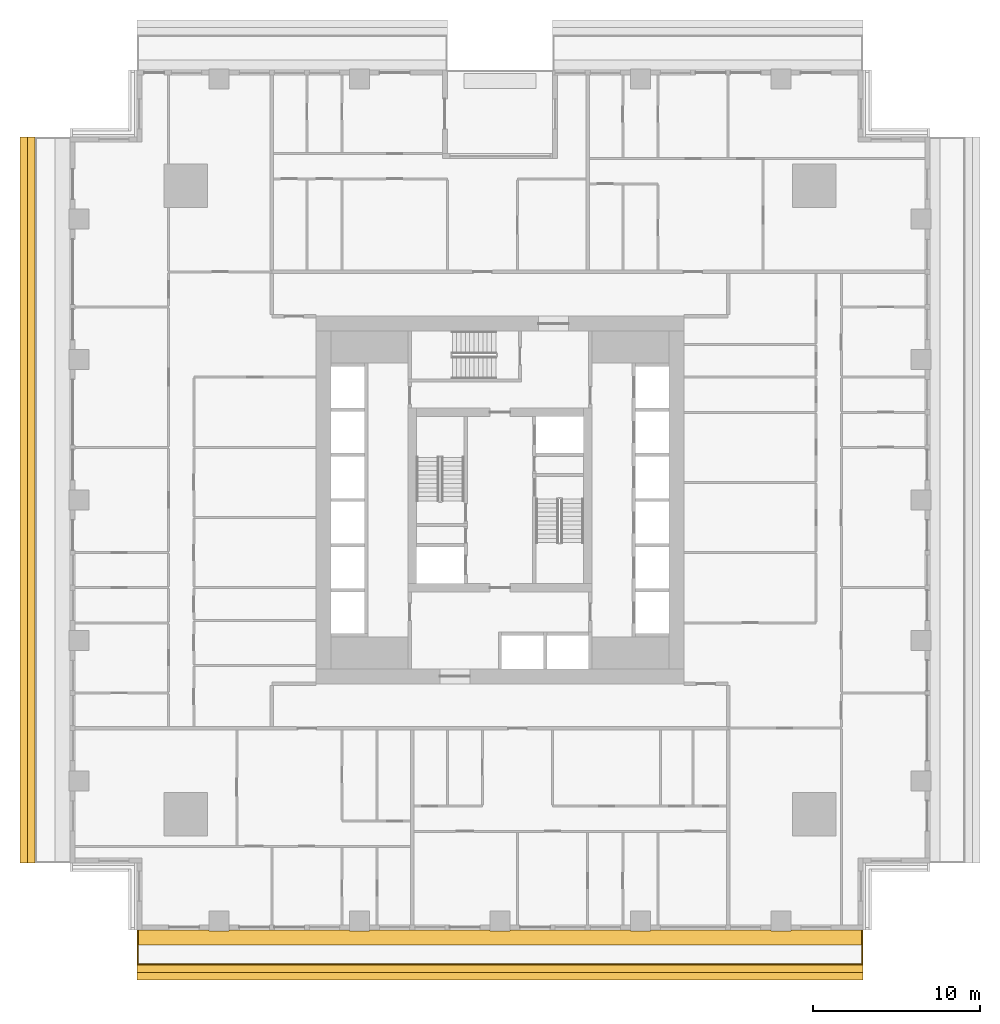
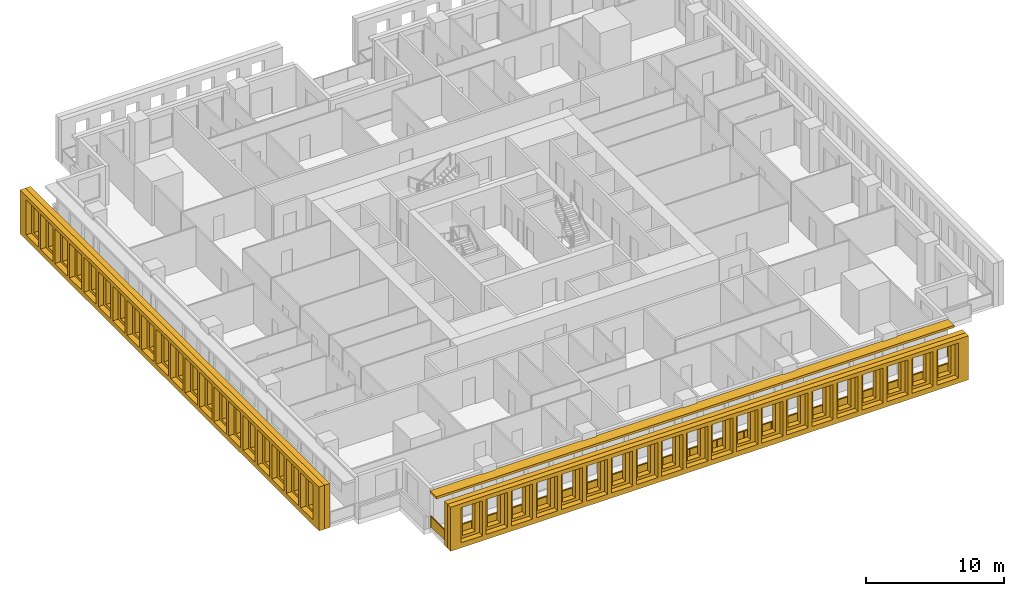
# One storey, part 11 of 16: 5 shading devices, 1 railing.
"""IFC4 building model written with IfcOpenShell, lengths in metres."""

from ifc_helpers import new_model, si_unit, direction, frame, origin, origin_2d, place, context, subcontext, project, spatial, polyline, rectangle, outline, extrude, material, layer, layer_set, type_object, element, save


model = new_model("IFC4")

# Units and contexts
model_context = context("Model", 3, precision=1e-05, world=origin(), true_north=direction((0.0, 1.0)))
body_context = subcontext(model_context, "Body", "Model", "MODEL_VIEW")
ifc_project = project(units=[si_unit("LENGTHUNIT", "METRE"), si_unit("AREAUNIT", "SQUARE_METRE"), si_unit("VOLUMEUNIT", "CUBIC_METRE"), si_unit("PLANEANGLEUNIT", "RADIAN"), si_unit("MASSUNIT", "GRAM", prefix="KILO")], contexts=[model_context])

# Site, building, storey
site_placement = place(None, origin())
site = spatial("IfcSite", under=ifc_project, at=site_placement, CompositionType="ELEMENT")
building_placement = place(site_placement, origin())
building = spatial("IfcBuilding", under=site, at=building_placement, Name="Khepri Terraces", CompositionType="ELEMENT")
storey_placement = place(building_placement, frame((0.0, 0.0, 133.800048828125)))
storey = spatial("IfcBuildingStorey", under=building, at=storey_placement, Name="L31", CompositionType="ELEMENT", Elevation=133.800048828125)

# Railing
ifc_material_1 = material(Name="Stainless steel grade 316", Category="steel")
railing_type = type_object("IfcRailingType", Name="GRD-BAL-1100", PredefinedType="GUARDRAIL", material=ifc_material_1)
railing_placement = place(storey_placement, frame((-21.669921875, -25.719970703125, 0.0)))
element("IfcRailing", 1, at=railing_placement, inside=storey, type_object=railing_type, Name="Balcony guard L31 S", PredefinedType="GUARDRAIL", context=body_context, shape_type="SweptSolid", body=[
    extrude(rectangle(XDim=0.050048828125, YDim=0.06005859375, at=origin_2d()), frame((0.0, 0.0, 1.070068359375), z_axis=(0.0, -1.0, 0.0), x_axis=(1.0, 0.0, 0.0)), (0.0, 0.0, 1.0), 2.050048828125),
    extrude(rectangle(XDim=2.0, YDim=0.011962890625, at=origin_2d()), frame((0.0, -1.02490234375, 0.10009765625), z_axis=(0.0, 0.0, 1.0), x_axis=(0.0, -1.0, 0.0)), (0.0, 0.0, 1.0), 0.93994140625),
    extrude(rectangle(XDim=0.050048828125, YDim=0.06005859375, at=origin_2d()), frame((0.0, -2.050048828125, 1.070068359375), z_axis=(1.0, 0.0, 0.0), x_axis=(0.0, 1.0, 0.0)), (0.0, 0.0, 1.0), 43.33984375),
    extrude(rectangle(XDim=2.23095703125, YDim=0.011962890625, at=origin_2d()), frame((1.140625, -2.050048828125, 0.10009765625), z_axis=(0.0, 0.0, 1.0), x_axis=(1.0, 0.0, 0.0)), (0.0, 0.0, 1.0), 0.93994140625),
    extrude(rectangle(XDim=2.23095703125, YDim=0.011962890625, at=origin_2d()), frame((3.421630859375, -2.050048828125, 0.10009765625), z_axis=(0.0, 0.0, 1.0), x_axis=(1.0, 0.0, 0.0)), (0.0, 0.0, 1.0), 0.93994140625),
    extrude(rectangle(XDim=2.23095703125, YDim=0.011962890625, at=origin_2d()), frame((5.70263671875, -2.050048828125, 0.10009765625), z_axis=(0.0, 0.0, 1.0), x_axis=(1.0, 0.0, 0.0)), (0.0, 0.0, 1.0), 0.93994140625),
    extrude(rectangle(XDim=2.23095703125, YDim=0.011962890625, at=origin_2d()), frame((7.983642578125, -2.050048828125, 0.10009765625), z_axis=(0.0, 0.0, 1.0), x_axis=(1.0, 0.0, 0.0)), (0.0, 0.0, 1.0), 0.93994140625),
    extrude(rectangle(XDim=2.23095703125, YDim=0.011962890625, at=origin_2d()), frame((10.2646484375, -2.050048828125, 0.10009765625), z_axis=(0.0, 0.0, 1.0), x_axis=(1.0, 0.0, 0.0)), (0.0, 0.0, 1.0), 0.93994140625),
    extrude(rectangle(XDim=2.23095703125, YDim=0.011962890625, at=origin_2d()), frame((12.545654296875, -2.050048828125, 0.10009765625), z_axis=(0.0, 0.0, 1.0), x_axis=(1.0, 0.0, 0.0)), (0.0, 0.0, 1.0), 0.93994140625),
    extrude(rectangle(XDim=2.23095703125, YDim=0.011962890625, at=origin_2d()), frame((14.826904296875, -2.050048828125, 0.10009765625), z_axis=(0.0, 0.0, 1.0), x_axis=(1.0, 0.0, 0.0)), (0.0, 0.0, 1.0), 0.93994140625),
    extrude(rectangle(XDim=2.23095703125, YDim=0.011962890625, at=origin_2d()), frame((17.10791015625, -2.050048828125, 0.10009765625), z_axis=(0.0, 0.0, 1.0), x_axis=(1.0, 0.0, 0.0)), (0.0, 0.0, 1.0), 0.93994140625),
    extrude(rectangle(XDim=2.23095703125, YDim=0.011962890625, at=origin_2d()), frame((19.388916015625, -2.050048828125, 0.10009765625), z_axis=(0.0, 0.0, 1.0), x_axis=(1.0, 0.0, 0.0)), (0.0, 0.0, 1.0), 0.93994140625),
    extrude(rectangle(XDim=2.23095703125, YDim=0.011962890625, at=origin_2d()), frame((21.669921875, -2.050048828125, 0.10009765625), z_axis=(0.0, 0.0, 1.0), x_axis=(1.0, 0.0, 0.0)), (0.0, 0.0, 1.0), 0.93994140625),
    extrude(rectangle(XDim=2.23095703125, YDim=0.011962890625, at=origin_2d()), frame((23.950927734375, -2.050048828125, 0.10009765625), z_axis=(0.0, 0.0, 1.0), x_axis=(1.0, 0.0, 0.0)), (0.0, 0.0, 1.0), 0.93994140625),
    extrude(rectangle(XDim=2.23095703125, YDim=0.011962890625, at=origin_2d()), frame((26.23193359375, -2.050048828125, 0.10009765625), z_axis=(0.0, 0.0, 1.0), x_axis=(1.0, 0.0, 0.0)), (0.0, 0.0, 1.0), 0.93994140625),
    extrude(rectangle(XDim=2.23095703125, YDim=0.011962890625, at=origin_2d()), frame((28.512939453125, -2.050048828125, 0.10009765625), z_axis=(0.0, 0.0, 1.0), x_axis=(1.0, 0.0, 0.0)), (0.0, 0.0, 1.0), 0.93994140625),
    extrude(rectangle(XDim=2.23095703125, YDim=0.011962890625, at=origin_2d()), frame((30.794189453125, -2.050048828125, 0.10009765625), z_axis=(0.0, 0.0, 1.0), x_axis=(1.0, 0.0, 0.0)), (0.0, 0.0, 1.0), 0.93994140625),
    extrude(rectangle(XDim=2.23095703125, YDim=0.011962890625, at=origin_2d()), frame((33.0751953125, -2.050048828125, 0.10009765625), z_axis=(0.0, 0.0, 1.0), x_axis=(1.0, 0.0, 0.0)), (0.0, 0.0, 1.0), 0.93994140625),
    extrude(rectangle(XDim=2.23095703125, YDim=0.011962890625, at=origin_2d()), frame((35.356201171875, -2.050048828125, 0.10009765625), z_axis=(0.0, 0.0, 1.0), x_axis=(1.0, 0.0, 0.0)), (0.0, 0.0, 1.0), 0.93994140625),
    extrude(rectangle(XDim=2.23095703125, YDim=0.011962890625, at=origin_2d()), frame((37.63720703125, -2.050048828125, 0.10009765625), z_axis=(0.0, 0.0, 1.0), x_axis=(1.0, 0.0, 0.0)), (0.0, 0.0, 1.0), 0.93994140625),
    extrude(rectangle(XDim=2.23095703125, YDim=0.011962890625, at=origin_2d()), frame((39.918212890625, -2.050048828125, 0.10009765625), z_axis=(0.0, 0.0, 1.0), x_axis=(1.0, 0.0, 0.0)), (0.0, 0.0, 1.0), 0.93994140625),
    extrude(rectangle(XDim=2.23095703125, YDim=0.011962890625, at=origin_2d()), frame((42.19921875, -2.050048828125, 0.10009765625), z_axis=(0.0, 0.0, 1.0), x_axis=(1.0, 0.0, 0.0)), (0.0, 0.0, 1.0), 0.93994140625),
    extrude(rectangle(XDim=0.050048828125, YDim=0.06005859375, at=origin_2d()), frame((43.33984375, -2.050048828125, 1.070068359375), z_axis=(0.0, 1.0, 0.0), x_axis=(-1.0, 0.0, 0.0)), (0.0, 0.0, 1.0), 2.050048828125),
    extrude(rectangle(XDim=2.0, YDim=0.011962890625, at=origin_2d()), frame((43.33984375, -1.02490234375, 0.10009765625), z_axis=(0.0, 0.0, 1.0), x_axis=(0.0, 1.0, 0.0)), (0.0, 0.0, 1.0), 0.93994140625),
    extrude(rectangle(XDim=0.050048828125, YDim=0.050048828125, at=origin_2d()), origin(), (0.0, 0.0, 1.0), 1.0400390625),
    extrude(rectangle(XDim=0.050048828125, YDim=0.050048828125, at=origin_2d()), frame((0.0, -2.050048828125, 0.0)), (0.0, 0.0, 1.0), 1.0400390625),
    extrude(rectangle(XDim=0.050048828125, YDim=0.050048828125, at=origin_2d()), frame((2.281005859375, -2.050048828125, 0.0)), (0.0, 0.0, 1.0), 1.0400390625),
    extrude(rectangle(XDim=0.050048828125, YDim=0.050048828125, at=origin_2d()), frame((4.56201171875, -2.050048828125, 0.0)), (0.0, 0.0, 1.0), 1.0400390625),
    extrude(rectangle(XDim=0.050048828125, YDim=0.050048828125, at=origin_2d()), frame((6.843017578125, -2.050048828125, 0.0)), (0.0, 0.0, 1.0), 1.0400390625),
    extrude(rectangle(XDim=0.050048828125, YDim=0.050048828125, at=origin_2d()), frame((9.124267578125, -2.050048828125, 0.0)), (0.0, 0.0, 1.0), 1.0400390625),
    extrude(rectangle(XDim=0.050048828125, YDim=0.050048828125, at=origin_2d()), frame((11.4052734375, -2.050048828125, 0.0)), (0.0, 0.0, 1.0), 1.0400390625),
    extrude(rectangle(XDim=0.050048828125, YDim=0.050048828125, at=origin_2d()), frame((13.686279296875, -2.050048828125, 0.0)), (0.0, 0.0, 1.0), 1.0400390625),
    extrude(rectangle(XDim=0.050048828125, YDim=0.050048828125, at=origin_2d()), frame((15.96728515625, -2.050048828125, 0.0)), (0.0, 0.0, 1.0), 1.0400390625),
    extrude(rectangle(XDim=0.050048828125, YDim=0.050048828125, at=origin_2d()), frame((18.248291015625, -2.050048828125, 0.0)), (0.0, 0.0, 1.0), 1.0400390625),
    extrude(rectangle(XDim=0.050048828125, YDim=0.050048828125, at=origin_2d()), frame((20.529296875, -2.050048828125, 0.0)), (0.0, 0.0, 1.0), 1.0400390625),
    extrude(rectangle(XDim=0.050048828125, YDim=0.050048828125, at=origin_2d()), frame((22.810546875, -2.050048828125, 0.0)), (0.0, 0.0, 1.0), 1.0400390625),
    extrude(rectangle(XDim=0.050048828125, YDim=0.050048828125, at=origin_2d()), frame((25.091552734375, -2.050048828125, 0.0)), (0.0, 0.0, 1.0), 1.0400390625),
    extrude(rectangle(XDim=0.050048828125, YDim=0.050048828125, at=origin_2d()), frame((27.37255859375, -2.050048828125, 0.0)), (0.0, 0.0, 1.0), 1.0400390625),
    extrude(rectangle(XDim=0.050048828125, YDim=0.050048828125, at=origin_2d()), frame((29.653564453125, -2.050048828125, 0.0)), (0.0, 0.0, 1.0), 1.0400390625),
    extrude(rectangle(XDim=0.050048828125, YDim=0.050048828125, at=origin_2d()), frame((31.9345703125, -2.050048828125, 0.0)), (0.0, 0.0, 1.0), 1.0400390625),
    extrude(rectangle(XDim=0.050048828125, YDim=0.050048828125, at=origin_2d()), frame((34.215576171875, -2.050048828125, 0.0)), (0.0, 0.0, 1.0), 1.0400390625),
    extrude(rectangle(XDim=0.050048828125, YDim=0.050048828125, at=origin_2d()), frame((36.496826171875, -2.050048828125, 0.0)), (0.0, 0.0, 1.0), 1.0400390625),
    extrude(rectangle(XDim=0.050048828125, YDim=0.050048828125, at=origin_2d()), frame((38.77783203125, -2.050048828125, 0.0)), (0.0, 0.0, 1.0), 1.0400390625),
    extrude(rectangle(XDim=0.050048828125, YDim=0.050048828125, at=origin_2d()), frame((41.058837890625, -2.050048828125, 0.0)), (0.0, 0.0, 1.0), 1.0400390625),
    extrude(rectangle(XDim=0.050048828125, YDim=0.050048828125, at=origin_2d()), frame((43.33984375, -2.050048828125, 0.0)), (0.0, 0.0, 1.0), 1.0400390625),
    extrude(rectangle(XDim=0.050048828125, YDim=0.050048828125, at=origin_2d()), frame((43.33984375, 0.0, 0.0)), (0.0, 0.0, 1.0), 1.0400390625),
])

# Shading devices
ifc_material_2 = material(Name="Precast concrete C50/60 warm stone", Category="masonry")
shading_device_type_1 = type_object("IfcShadingDeviceType", Name="SCR-CELL-INNER-450", PredefinedType="USERDEFINED", material=ifc_material_2)
shading_device_1_placement = place(storey_placement, frame((-21.719970703125, -27.820068359375, -0.25), z_axis=(0.0, -1.0, 0.0), x_axis=(1.0, 0.0, 0.0)))
element("IfcShadingDevice", 2, at=shading_device_1_placement, inside=storey, type_object=shading_device_type_1, Name="Cell screen L31 S in", ObjectType="SCREEN", PredefinedType="USERDEFINED", context=body_context, shape_type="SweptSolid", body=[
    extrude(outline(polyline([(0.0, 0.0), (43.43994140625, 0.0), (43.43994140625, 3.89990234375), (0.0, 3.89990234375), (0.0, 0.0)]), holes=[polyline([(1.2265625, 0.699951171875), (2.3134765625, 0.699951171875), (2.3134765625, 3.300048828125), (1.2265625, 3.300048828125), (1.2265625, 0.699951171875)]), polyline([(3.32666015625, 0.699951171875), (4.413330078125, 0.699951171875), (4.413330078125, 3.300048828125), (3.32666015625, 3.300048828125), (3.32666015625, 0.699951171875)]), polyline([(5.426513671875, 0.699951171875), (6.513427734375, 0.699951171875), (6.513427734375, 3.300048828125), (5.426513671875, 3.300048828125), (5.426513671875, 0.699951171875)]), polyline([(7.526611328125, 0.699951171875), (8.61328125, 0.699951171875), (8.61328125, 3.300048828125), (7.526611328125, 3.300048828125), (7.526611328125, 0.699951171875)]), polyline([(9.626708984375, 0.699951171875), (10.71337890625, 0.699951171875), (10.71337890625, 3.300048828125), (9.626708984375, 3.300048828125), (9.626708984375, 0.699951171875)]), polyline([(11.7265625, 0.699951171875), (12.8134765625, 0.699951171875), (12.8134765625, 3.300048828125), (11.7265625, 3.300048828125), (11.7265625, 0.699951171875)]), polyline([(13.82666015625, 0.699951171875), (14.913330078125, 0.699951171875), (14.913330078125, 3.300048828125), (13.82666015625, 3.300048828125), (13.82666015625, 0.699951171875)]), polyline([(15.926513671875, 0.699951171875), (17.013427734375, 0.699951171875), (17.013427734375, 3.300048828125), (15.926513671875, 3.300048828125), (15.926513671875, 0.699951171875)]), polyline([(18.026611328125, 0.699951171875), (19.11328125, 0.699951171875), (19.11328125, 3.300048828125), (18.026611328125, 3.300048828125), (18.026611328125, 0.699951171875)]), polyline([(20.126708984375, 0.699951171875), (21.21337890625, 0.699951171875), (21.21337890625, 3.300048828125), (20.126708984375, 3.300048828125), (20.126708984375, 0.699951171875)]), polyline([(22.2265625, 0.699951171875), (23.3134765625, 0.699951171875), (23.3134765625, 3.300048828125), (22.2265625, 3.300048828125), (22.2265625, 0.699951171875)]), polyline([(24.32666015625, 0.699951171875), (25.413330078125, 0.699951171875), (25.413330078125, 3.300048828125), (24.32666015625, 3.300048828125), (24.32666015625, 0.699951171875)]), polyline([(26.426513671875, 0.699951171875), (27.513427734375, 0.699951171875), (27.513427734375, 3.300048828125), (26.426513671875, 3.300048828125), (26.426513671875, 0.699951171875)]), polyline([(28.526611328125, 0.699951171875), (29.61328125, 0.699951171875), (29.61328125, 3.300048828125), (28.526611328125, 3.300048828125), (28.526611328125, 0.699951171875)]), polyline([(30.626708984375, 0.699951171875), (31.71337890625, 0.699951171875), (31.71337890625, 3.300048828125), (30.626708984375, 3.300048828125), (30.626708984375, 0.699951171875)]), polyline([(32.7265625, 0.699951171875), (33.8134765625, 0.699951171875), (33.8134765625, 3.300048828125), (32.7265625, 3.300048828125), (32.7265625, 0.699951171875)]), polyline([(34.82666015625, 0.699951171875), (35.913330078125, 0.699951171875), (35.913330078125, 3.300048828125), (34.82666015625, 3.300048828125), (34.82666015625, 0.699951171875)]), polyline([(36.926513671875, 0.699951171875), (38.013427734375, 0.699951171875), (38.013427734375, 3.300048828125), (36.926513671875, 3.300048828125), (36.926513671875, 0.699951171875)]), polyline([(39.026611328125, 0.699951171875), (40.11328125, 0.699951171875), (40.11328125, 3.300048828125), (39.026611328125, 3.300048828125), (39.026611328125, 0.699951171875)]), polyline([(41.126708984375, 0.699951171875), (42.21337890625, 0.699951171875), (42.21337890625, 3.300048828125), (41.126708984375, 3.300048828125), (41.126708984375, 0.699951171875)])]), origin(), (0.0, 0.0, 1.0), 0.449951171875),
])
shading_device_2_placement = place(storey_placement, frame((-27.820068359375, 21.719970703125, -0.25), z_axis=(-1.0, 0.0, 0.0), x_axis=(0.0, -1.0, 0.0)))
element("IfcShadingDevice", 3, at=shading_device_2_placement, inside=storey, type_object=shading_device_type_1, Name="Cell screen L31 W in", ObjectType="SCREEN", PredefinedType="USERDEFINED", context=body_context, shape_type="SweptSolid", body=[
    extrude(outline(polyline([(0.0, 0.0), (43.43994140625, 0.0), (43.43994140625, 3.89990234375), (0.0, 3.89990234375), (0.0, 0.0)]), holes=[polyline([(1.2265625, 0.699951171875), (2.3134765625, 0.699951171875), (2.3134765625, 3.300048828125), (1.2265625, 3.300048828125), (1.2265625, 0.699951171875)]), polyline([(3.32666015625, 0.699951171875), (4.413330078125, 0.699951171875), (4.413330078125, 3.300048828125), (3.32666015625, 3.300048828125), (3.32666015625, 0.699951171875)]), polyline([(5.426513671875, 0.699951171875), (6.513427734375, 0.699951171875), (6.513427734375, 3.300048828125), (5.426513671875, 3.300048828125), (5.426513671875, 0.699951171875)]), polyline([(7.526611328125, 0.699951171875), (8.61328125, 0.699951171875), (8.61328125, 3.300048828125), (7.526611328125, 3.300048828125), (7.526611328125, 0.699951171875)]), polyline([(9.626708984375, 0.699951171875), (10.71337890625, 0.699951171875), (10.71337890625, 3.300048828125), (9.626708984375, 3.300048828125), (9.626708984375, 0.699951171875)]), polyline([(11.7265625, 0.699951171875), (12.8134765625, 0.699951171875), (12.8134765625, 3.300048828125), (11.7265625, 3.300048828125), (11.7265625, 0.699951171875)]), polyline([(13.82666015625, 0.699951171875), (14.913330078125, 0.699951171875), (14.913330078125, 3.300048828125), (13.82666015625, 3.300048828125), (13.82666015625, 0.699951171875)]), polyline([(15.926513671875, 0.699951171875), (17.013427734375, 0.699951171875), (17.013427734375, 3.300048828125), (15.926513671875, 3.300048828125), (15.926513671875, 0.699951171875)]), polyline([(18.026611328125, 0.699951171875), (19.11328125, 0.699951171875), (19.11328125, 3.300048828125), (18.026611328125, 3.300048828125), (18.026611328125, 0.699951171875)]), polyline([(20.126708984375, 0.699951171875), (21.21337890625, 0.699951171875), (21.21337890625, 3.300048828125), (20.126708984375, 3.300048828125), (20.126708984375, 0.699951171875)]), polyline([(22.2265625, 0.699951171875), (23.3134765625, 0.699951171875), (23.3134765625, 3.300048828125), (22.2265625, 3.300048828125), (22.2265625, 0.699951171875)]), polyline([(24.32666015625, 0.699951171875), (25.413330078125, 0.699951171875), (25.413330078125, 3.300048828125), (24.32666015625, 3.300048828125), (24.32666015625, 0.699951171875)]), polyline([(26.426513671875, 0.699951171875), (27.513427734375, 0.699951171875), (27.513427734375, 3.300048828125), (26.426513671875, 3.300048828125), (26.426513671875, 0.699951171875)]), polyline([(28.526611328125, 0.699951171875), (29.61328125, 0.699951171875), (29.61328125, 3.300048828125), (28.526611328125, 3.300048828125), (28.526611328125, 0.699951171875)]), polyline([(30.626708984375, 0.699951171875), (31.71337890625, 0.699951171875), (31.71337890625, 3.300048828125), (30.626708984375, 3.300048828125), (30.626708984375, 0.699951171875)]), polyline([(32.7265625, 0.699951171875), (33.8134765625, 0.699951171875), (33.8134765625, 3.300048828125), (32.7265625, 3.300048828125), (32.7265625, 0.699951171875)]), polyline([(34.82666015625, 0.699951171875), (35.913330078125, 0.699951171875), (35.913330078125, 3.300048828125), (34.82666015625, 3.300048828125), (34.82666015625, 0.699951171875)]), polyline([(36.926513671875, 0.699951171875), (38.013427734375, 0.699951171875), (38.013427734375, 3.300048828125), (36.926513671875, 3.300048828125), (36.926513671875, 0.699951171875)]), polyline([(39.026611328125, 0.699951171875), (40.11328125, 0.699951171875), (40.11328125, 3.300048828125), (39.026611328125, 3.300048828125), (39.026611328125, 0.699951171875)]), polyline([(41.126708984375, 0.699951171875), (42.21337890625, 0.699951171875), (42.21337890625, 3.300048828125), (41.126708984375, 3.300048828125), (41.126708984375, 0.699951171875)])]), origin(), (0.0, 0.0, 1.0), 0.449951171875),
])
shading_device_type_2 = type_object("IfcShadingDeviceType", Name="SCR-CELL-OUTER-450", PredefinedType="USERDEFINED", material=ifc_material_2)
shading_device_3_placement = place(storey_placement, frame((-21.719970703125, -28.27001953125, -0.25), z_axis=(0.0, -1.0, 0.0), x_axis=(1.0, 0.0, 0.0)))
element("IfcShadingDevice", 4, at=shading_device_3_placement, inside=storey, type_object=shading_device_type_2, Name="Cell screen L31 S out", ObjectType="SCREEN", PredefinedType="USERDEFINED", context=body_context, shape_type="SweptSolid", body=[
    extrude(outline(polyline([(0.0, 0.0), (43.43994140625, 0.0), (43.43994140625, 3.89990234375), (0.0, 3.89990234375), (0.0, 0.0)]), holes=[polyline([(0.876708984375, 0.449951171875), (2.663330078125, 0.449951171875), (2.663330078125, 3.550048828125), (0.876708984375, 3.550048828125), (0.876708984375, 0.449951171875)]), polyline([(2.9765625, 0.449951171875), (4.763427734375, 0.449951171875), (4.763427734375, 3.550048828125), (2.9765625, 3.550048828125), (2.9765625, 0.449951171875)]), polyline([(5.07666015625, 0.449951171875), (6.86328125, 0.449951171875), (6.86328125, 3.550048828125), (5.07666015625, 3.550048828125), (5.07666015625, 0.449951171875)]), polyline([(7.176513671875, 0.449951171875), (8.96337890625, 0.449951171875), (8.96337890625, 3.550048828125), (7.176513671875, 3.550048828125), (7.176513671875, 0.449951171875)]), polyline([(9.276611328125, 0.449951171875), (11.0634765625, 0.449951171875), (11.0634765625, 3.550048828125), (9.276611328125, 3.550048828125), (9.276611328125, 0.449951171875)]), polyline([(11.376708984375, 0.449951171875), (13.163330078125, 0.449951171875), (13.163330078125, 3.550048828125), (11.376708984375, 3.550048828125), (11.376708984375, 0.449951171875)]), polyline([(13.4765625, 0.449951171875), (15.263427734375, 0.449951171875), (15.263427734375, 3.550048828125), (13.4765625, 3.550048828125), (13.4765625, 0.449951171875)]), polyline([(15.57666015625, 0.449951171875), (17.36328125, 0.449951171875), (17.36328125, 3.550048828125), (15.57666015625, 3.550048828125), (15.57666015625, 0.449951171875)]), polyline([(17.676513671875, 0.449951171875), (19.46337890625, 0.449951171875), (19.46337890625, 3.550048828125), (17.676513671875, 3.550048828125), (17.676513671875, 0.449951171875)]), polyline([(19.776611328125, 0.449951171875), (21.5634765625, 0.449951171875), (21.5634765625, 3.550048828125), (19.776611328125, 3.550048828125), (19.776611328125, 0.449951171875)]), polyline([(21.876708984375, 0.449951171875), (23.663330078125, 0.449951171875), (23.663330078125, 3.550048828125), (21.876708984375, 3.550048828125), (21.876708984375, 0.449951171875)]), polyline([(23.9765625, 0.449951171875), (25.763427734375, 0.449951171875), (25.763427734375, 3.550048828125), (23.9765625, 3.550048828125), (23.9765625, 0.449951171875)]), polyline([(26.07666015625, 0.449951171875), (27.86328125, 0.449951171875), (27.86328125, 3.550048828125), (26.07666015625, 3.550048828125), (26.07666015625, 0.449951171875)]), polyline([(28.176513671875, 0.449951171875), (29.96337890625, 0.449951171875), (29.96337890625, 3.550048828125), (28.176513671875, 3.550048828125), (28.176513671875, 0.449951171875)]), polyline([(30.276611328125, 0.449951171875), (32.0634765625, 0.449951171875), (32.0634765625, 3.550048828125), (30.276611328125, 3.550048828125), (30.276611328125, 0.449951171875)]), polyline([(32.376708984375, 0.449951171875), (34.163330078125, 0.449951171875), (34.163330078125, 3.550048828125), (32.376708984375, 3.550048828125), (32.376708984375, 0.449951171875)]), polyline([(34.4765625, 0.449951171875), (36.263427734375, 0.449951171875), (36.263427734375, 3.550048828125), (34.4765625, 3.550048828125), (34.4765625, 0.449951171875)]), polyline([(36.57666015625, 0.449951171875), (38.36328125, 0.449951171875), (38.36328125, 3.550048828125), (36.57666015625, 3.550048828125), (36.57666015625, 0.449951171875)]), polyline([(38.676513671875, 0.449951171875), (40.46337890625, 0.449951171875), (40.46337890625, 3.550048828125), (38.676513671875, 3.550048828125), (38.676513671875, 0.449951171875)]), polyline([(40.776611328125, 0.449951171875), (42.5634765625, 0.449951171875), (42.5634765625, 3.550048828125), (40.776611328125, 3.550048828125), (40.776611328125, 0.449951171875)])]), origin(), (0.0, 0.0, 1.0), 0.449951171875),
])
shading_device_4_placement = place(storey_placement, frame((-28.27001953125, 21.719970703125, -0.25), z_axis=(-1.0, 0.0, 0.0), x_axis=(0.0, -1.0, 0.0)))
element("IfcShadingDevice", 5, at=shading_device_4_placement, inside=storey, type_object=shading_device_type_2, Name="Cell screen L31 W out", ObjectType="SCREEN", PredefinedType="USERDEFINED", context=body_context, shape_type="SweptSolid", body=[
    extrude(outline(polyline([(0.0, 0.0), (43.43994140625, 0.0), (43.43994140625, 3.89990234375), (0.0, 3.89990234375), (0.0, 0.0)]), holes=[polyline([(0.876708984375, 0.449951171875), (2.663330078125, 0.449951171875), (2.663330078125, 3.550048828125), (0.876708984375, 3.550048828125), (0.876708984375, 0.449951171875)]), polyline([(2.9765625, 0.449951171875), (4.763427734375, 0.449951171875), (4.763427734375, 3.550048828125), (2.9765625, 3.550048828125), (2.9765625, 0.449951171875)]), polyline([(5.07666015625, 0.449951171875), (6.86328125, 0.449951171875), (6.86328125, 3.550048828125), (5.07666015625, 3.550048828125), (5.07666015625, 0.449951171875)]), polyline([(7.176513671875, 0.449951171875), (8.96337890625, 0.449951171875), (8.96337890625, 3.550048828125), (7.176513671875, 3.550048828125), (7.176513671875, 0.449951171875)]), polyline([(9.276611328125, 0.449951171875), (11.0634765625, 0.449951171875), (11.0634765625, 3.550048828125), (9.276611328125, 3.550048828125), (9.276611328125, 0.449951171875)]), polyline([(11.376708984375, 0.449951171875), (13.163330078125, 0.449951171875), (13.163330078125, 3.550048828125), (11.376708984375, 3.550048828125), (11.376708984375, 0.449951171875)]), polyline([(13.4765625, 0.449951171875), (15.263427734375, 0.449951171875), (15.263427734375, 3.550048828125), (13.4765625, 3.550048828125), (13.4765625, 0.449951171875)]), polyline([(15.57666015625, 0.449951171875), (17.36328125, 0.449951171875), (17.36328125, 3.550048828125), (15.57666015625, 3.550048828125), (15.57666015625, 0.449951171875)]), polyline([(17.676513671875, 0.449951171875), (19.46337890625, 0.449951171875), (19.46337890625, 3.550048828125), (17.676513671875, 3.550048828125), (17.676513671875, 0.449951171875)]), polyline([(19.776611328125, 0.449951171875), (21.5634765625, 0.449951171875), (21.5634765625, 3.550048828125), (19.776611328125, 3.550048828125), (19.776611328125, 0.449951171875)]), polyline([(21.876708984375, 0.449951171875), (23.663330078125, 0.449951171875), (23.663330078125, 3.550048828125), (21.876708984375, 3.550048828125), (21.876708984375, 0.449951171875)]), polyline([(23.9765625, 0.449951171875), (25.763427734375, 0.449951171875), (25.763427734375, 3.550048828125), (23.9765625, 3.550048828125), (23.9765625, 0.449951171875)]), polyline([(26.07666015625, 0.449951171875), (27.86328125, 0.449951171875), (27.86328125, 3.550048828125), (26.07666015625, 3.550048828125), (26.07666015625, 0.449951171875)]), polyline([(28.176513671875, 0.449951171875), (29.96337890625, 0.449951171875), (29.96337890625, 3.550048828125), (28.176513671875, 3.550048828125), (28.176513671875, 0.449951171875)]), polyline([(30.276611328125, 0.449951171875), (32.0634765625, 0.449951171875), (32.0634765625, 3.550048828125), (30.276611328125, 3.550048828125), (30.276611328125, 0.449951171875)]), polyline([(32.376708984375, 0.449951171875), (34.163330078125, 0.449951171875), (34.163330078125, 3.550048828125), (32.376708984375, 3.550048828125), (32.376708984375, 0.449951171875)]), polyline([(34.4765625, 0.449951171875), (36.263427734375, 0.449951171875), (36.263427734375, 3.550048828125), (34.4765625, 3.550048828125), (34.4765625, 0.449951171875)]), polyline([(36.57666015625, 0.449951171875), (38.36328125, 0.449951171875), (38.36328125, 3.550048828125), (36.57666015625, 3.550048828125), (36.57666015625, 0.449951171875)]), polyline([(38.676513671875, 0.449951171875), (40.46337890625, 0.449951171875), (40.46337890625, 3.550048828125), (38.676513671875, 3.550048828125), (38.676513671875, 0.449951171875)]), polyline([(40.776611328125, 0.449951171875), (42.5634765625, 0.449951171875), (42.5634765625, 3.550048828125), (40.776611328125, 3.550048828125), (40.776611328125, 0.449951171875)])]), origin(), (0.0, 0.0, 1.0), 0.449951171875),
])
ifc_layer = layer(ifc_material_2, 0.199951171875, Name="Precast concrete C50/60 warm stone", Category="masonry")
ifc_layer_set = layer_set([ifc_layer], Name="Precast concrete C50/60 warm stone")
shading_device_type_3 = type_object("IfcShadingDeviceType", Name="SSH-BAND-STONE-200", PredefinedType="USERDEFINED", material=ifc_layer_set)
shading_device_5_placement = place(storey_placement, frame((0.0, 0.0, 3.099853515625)))
element("IfcShadingDevice", 6, at=shading_device_5_placement, inside=storey, type_object=shading_device_type_3, Name="Sunshade band L31 S", ObjectType="SUNSHADE", PredefinedType="USERDEFINED", context=body_context, shape_type="SweptSolid", body=[
    extrude(outline(polyline([(-17.39990234375, -25.719970703125), (-21.719970703125, -25.719970703125), (-21.719970703125, -26.6201171875), (21.719970703125, -26.6201171875), (21.719970703125, -25.719970703125), (17.39990234375, -25.719970703125), (17.39990234375, -25.800048828125), (16.199951171875, -25.800048828125), (16.199951171875, -25.719970703125), (9.0, -25.719970703125), (9.0, -25.800048828125), (7.800048828125, -25.800048828125), (7.800048828125, -25.719970703125), (0.60009765625, -25.719970703125), (0.60009765625, -25.800048828125), (-0.60009765625, -25.800048828125), (-0.60009765625, -25.719970703125), (-7.800048828125, -25.719970703125), (-7.800048828125, -25.800048828125), (-9.0, -25.800048828125), (-9.0, -25.719970703125), (-16.199951171875, -25.719970703125), (-16.199951171875, -25.800048828125), (-17.39990234375, -25.800048828125), (-17.39990234375, -25.719970703125)])), origin(), (0.0, 0.0, 1.0), 0.2001953125),
])

save(model, "model.ifc")
